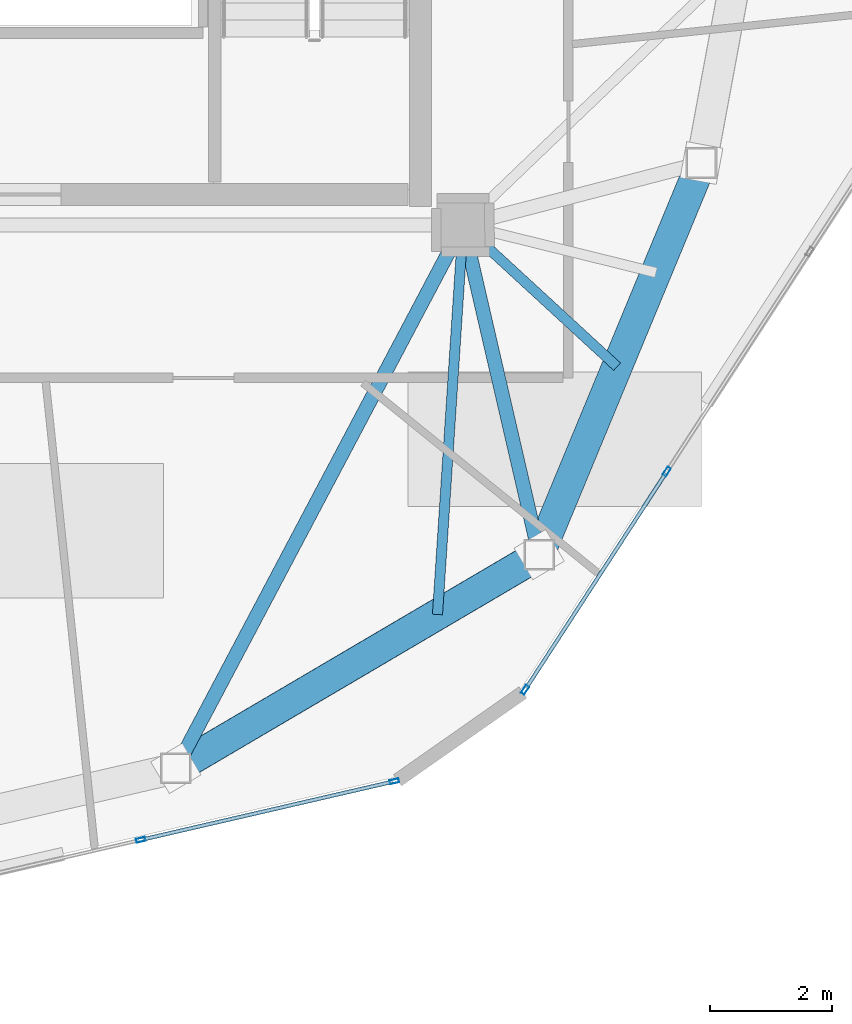
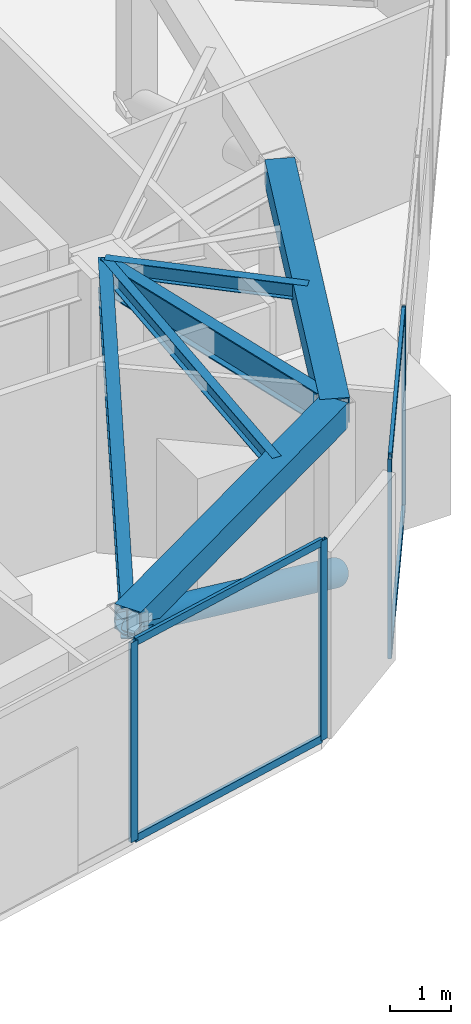
# One storey, part 7 of 21: 9 members, 6 beams, 2 elements without a shape of their own.
"""IFC4 building model written with IfcOpenShell, lengths in metres."""

import ifcopenshell
import ifcopenshell.guid

model = None  # the IFC model being written
_history = None  # IfcOwnerHistory: only IFC2X3 demands one
_inside = {}  # id of a spatial element -> (the spatial element, [elements in it])
_under = {}  # id of a project, library or spatial element -> (it, [spatial elements below it])
_declared = {}  # id of a project -> (the project, [libraries it declares])
_typed = {}  # id of a type object -> (the type object, [elements of that type])
_made_of = {}  # id of a material, layer set ... -> (it, [elements and type objects made of it])


def new_model(schema):
    """Start an empty IFC model of exactly this schema.

    Asked for "IFC4X3", IfcOpenShell would pick the latest addendum, in which some entities
    have other attributes; the version numbers below select the first issue.
    IFC2X3 requires an IfcOwnerHistory on every rooted entity: one is made here for all.
    """
    global model, _history
    if schema == "IFC4X3":
        model = ifcopenshell.file(schema_version=(4, 3, 0, 0))
    else:
        model = ifcopenshell.file(schema=schema)
    _inside.clear()
    _under.clear()
    _declared.clear()
    _typed.clear()
    _made_of.clear()
    _history = None
    if model.schema == "IFC2X3":
        org = make("IfcOrganization", Name="unknown")
        user = make(
            "IfcPersonAndOrganization",
            ThePerson=make("IfcPerson", FamilyName="unknown"),
            TheOrganization=org,
        )
        app = make(
            "IfcApplication",
            ApplicationDeveloper=org,
            Version="unknown",
            ApplicationFullName="unknown",
            ApplicationIdentifier="unknown",
        )
        _history = make(
            "IfcOwnerHistory",
            OwningUser=user,
            OwningApplication=app,
            ChangeAction="ADDED",
            CreationDate=0,
        )
    return model


def make(cls, **values):
    """One entity of the class cls with the attributes given. An attribute that is None is left unset."""
    return model.create_entity(
        cls, **{name: value for name, value in values.items() if value is not None}
    )


def rooted(cls, **values):
    """An entity with a GlobalId (a new one), such as an element, a storey or a relation."""
    return make(cls, GlobalId=ifcopenshell.guid.new(), OwnerHistory=_history, **values)


def si_unit(unit_type, name, prefix=None):
    """IfcSIUnit, for example si_unit("LENGTHUNIT", "METRE", prefix="MILLI")."""
    return make("IfcSIUnit", UnitType=unit_type, Prefix=prefix, Name=name)


def assignment(units):
    """IfcUnitAssignment: the units of a project."""
    return None if units is None else make("IfcUnitAssignment", Units=units)


def point(xyz):
    """IfcCartesianPoint."""
    return None if xyz is None else make("IfcCartesianPoint", Coordinates=xyz)


def direction(xyz):
    """IfcDirection."""
    return None if xyz is None else make("IfcDirection", DirectionRatios=xyz)


def frame(location, z_axis=None, x_axis=None):
    """IfcAxis2Placement3D, a coordinate frame: its origin and axes. An axis left out is left unset."""
    return make(
        "IfcAxis2Placement3D",
        Location=point(location),
        Axis=direction(z_axis),
        RefDirection=direction(x_axis),
    )


def frame_2d(location, x_axis=None):
    """IfcAxis2Placement2D, a coordinate frame in the plane: its origin and x axis."""
    return make(
        "IfcAxis2Placement2D", Location=point(location), RefDirection=direction(x_axis)
    )


def origin():
    """The frame at (0, 0, 0) with its axes left unset."""
    return frame((0.0, 0.0, 0.0))


def origin_2d():
    """The frame at (0, 0) in the plane with its x axis left unset."""
    return frame_2d((0.0, 0.0))


def place(relative_to, where):
    """IfcLocalPlacement: puts the frame where relative to a parent placement (None: the world)."""
    return make(
        "IfcLocalPlacement", PlacementRelTo=relative_to, RelativePlacement=where
    )


def context(
    kind, dimensions, precision=None, world=None, true_north=None, identifier=None
):
    """IfcGeometricRepresentationContext, for example the 3D "Model" context."""
    return make(
        "IfcGeometricRepresentationContext",
        ContextIdentifier=identifier,
        ContextType=kind,
        CoordinateSpaceDimension=dimensions,
        Precision=precision,
        WorldCoordinateSystem=world,
        TrueNorth=true_north,
    )


def subcontext(parent, identifier, kind, view, scale=None):
    """IfcGeometricRepresentationSubContext, for example "Body" below "Model"."""
    return make(
        "IfcGeometricRepresentationSubContext",
        ContextIdentifier=identifier,
        ContextType=kind,
        ParentContext=parent,
        TargetScale=scale,
        TargetView=view,
    )


def project(units=None, contexts=None):
    """IfcProject with its units and contexts."""
    return rooted(
        "IfcProject",
        Name="project",
        RepresentationContexts=contexts,
        UnitsInContext=assignment(units),
    )


def spatial(cls, under=None, at=None, **own):
    """A site, building, storey or space (cls), placed at a placement, below another one or the project."""
    s = rooted(cls, ObjectPlacement=at, **own)
    if under is not None:
        _under.setdefault(under.id(), (under, []))[1].append(s)
    return s


def profile(cls, at=None, kind="AREA", **sizes):
    """A parametric profile (cls). Its sizes go by their IFC names, for example OverallWidth=200.0."""
    return make(cls, ProfileType=kind, Position=at, **sizes)


def hollow_rectangle(**sizes):
    """IfcRectangleHollowProfileDef."""
    return profile("IfcRectangleHollowProfileDef", **sizes)


def hollow_circle(**sizes):
    """IfcCircleHollowProfileDef."""
    return profile("IfcCircleHollowProfileDef", **sizes)


def i_section(**sizes):
    """IfcIShapeProfileDef."""
    return profile("IfcIShapeProfileDef", **sizes)


def extrude(swept, where, along, depth):
    """IfcExtrudedAreaSolid: the profile swept, set in the frame where, extruded along a direction by depth."""
    return make(
        "IfcExtrudedAreaSolid",
        SweptArea=swept,
        Position=where,
        ExtrudedDirection=direction(along),
        Depth=depth,
    )


def shape(context_of_items, identifier, shape_type, items):
    """IfcShapeRepresentation: the items that make up one representation, for example the "Body"."""
    return make(
        "IfcShapeRepresentation",
        ContextOfItems=context_of_items,
        RepresentationIdentifier=identifier,
        RepresentationType=shape_type,
        Items=items,
    )


def source(mapping_origin, context_of_items, identifier, shape_type, items):
    """IfcRepresentationMap: a shape defined once, which mapped items show again and again."""
    return make(
        "IfcRepresentationMap",
        MappingOrigin=mapping_origin,
        MappedRepresentation=shape(context_of_items, identifier, shape_type, items),
    )


def transform(
    local_origin,
    x_axis=None,
    y_axis=None,
    z_axis=None,
    scale=None,
    scale2=None,
    scale3=None,
    uniform=True,
):
    """IfcCartesianTransformationOperator3D, or its non-uniform kind. x_axis, y_axis, z_axis: its Axis1, 2, 3."""
    if uniform:
        return make(
            "IfcCartesianTransformationOperator3D",
            Axis1=direction(x_axis),
            Axis2=direction(y_axis),
            LocalOrigin=point(local_origin),
            Scale=scale,
            Axis3=direction(z_axis),
        )
    return make(
        "IfcCartesianTransformationOperator3DnonUniform",
        Axis1=direction(x_axis),
        Axis2=direction(y_axis),
        LocalOrigin=point(local_origin),
        Scale=scale,
        Axis3=direction(z_axis),
        Scale2=scale2,
        Scale3=scale3,
    )


def mapped(mapping_source, mapping_target):
    """IfcMappedItem: shows the shape of a source again, moved by a transform."""
    return make(
        "IfcMappedItem", MappingSource=mapping_source, MappingTarget=mapping_target
    )


def material(Name=None, Category=None):
    """IfcMaterial."""
    return make("IfcMaterial", Name=Name, Category=Category)


def layer(
    of_material, thickness, ventilated=None, Name=None, Category=None, Priority=None
):
    """IfcMaterialLayer: one layer of a wall or slab, of a material (None: an air gap)."""
    return make(
        "IfcMaterialLayer",
        Material=of_material,
        LayerThickness=thickness,
        IsVentilated=ventilated,
        Name=Name,
        Category=Category,
        Priority=Priority,
    )


def layer_set(layers, Name=None):
    """IfcMaterialLayerSet."""
    return make("IfcMaterialLayerSet", MaterialLayers=layers, LayerSetName=Name)


def material_profile(
    of_material, cross_section, Name=None, Category=None, Priority=None
):
    """IfcMaterialProfile: a cross section and its material."""
    return make(
        "IfcMaterialProfile",
        Name=Name,
        Material=of_material,
        Profile=cross_section,
        Priority=Priority,
        Category=Category,
    )


def profile_set(profiles, Name=None, composite=None):
    """IfcMaterialProfileSet."""
    return make(
        "IfcMaterialProfileSet",
        Name=Name,
        MaterialProfiles=profiles,
        CompositeProfile=composite,
    )


def made_of(thing, what):
    """Note that an element or type object is made of a material, layer set ...; save() writes the relation."""
    if what is not None:
        _made_of.setdefault(what.id(), (what, []))[1].append(thing)
    return thing


def type_object(cls, material=None, **own):
    """A type object (cls), such as IfcWallType, which elements share."""
    return made_of(rooted(cls, **own), material)


def type_shapes(of_type, sources):
    """Give a type object the sources (RepresentationMaps) that its elements show as mapped items."""
    of_type.RepresentationMaps = sources


def element(
    cls,
    number,
    at=None,
    inside=None,
    cuts=None,
    type_object=None,
    material=None,
    context=None,
    identifier="Body",
    shape_type=None,
    held_by="IfcProductDefinitionShape",
    body=None,
    shapes=None,
    **own,
):
    """One element of the class cls, such as IfcWall. Its Tag is "e" and its number.

    at: its placement. inside: the storey or other place that contains it. cuts: it is an
    opening in that element (IfcRelVoidsElement). A single representation is given by context,
    identifier, shape_type and body (its items); several are given by shapes. held_by: the class
    of the entity that holds the representations. save() writes the other relations.
    """
    e = rooted(cls, Tag="e%d" % number, ObjectPlacement=at, **own)
    if body is not None:
        shapes = [shape(context, identifier, shape_type, body)]
    if shapes is not None:
        e.Representation = make(held_by, Representations=shapes)
    if inside is not None:
        _inside.setdefault(inside.id(), (inside, []))[1].append(e)
    if cuts is not None:
        rooted(
            "IfcRelVoidsElement", RelatingBuildingElement=cuts, RelatedOpeningElement=e
        )
    if type_object is not None:
        _typed.setdefault(type_object.id(), (type_object, []))[1].append(e)
    return made_of(e, material)


def aggregate(whole, parts):
    """IfcRelAggregates: a whole, such as a stair, and the parts it consists of."""
    return rooted("IfcRelAggregates", RelatingObject=whole, RelatedObjects=parts)


def save(model, path):
    """Write the relations noted so far, then the file.

    IfcRelAggregates (storeys below a building ...), IfcRelContainedInSpatialStructure (elements
    in a storey), IfcRelDefinesByType, IfcRelAssociatesMaterial and IfcRelDeclares: one each for
    every whole, place, type object, material and project.
    """
    for whole, parts in _under.values():
        aggregate(whole, parts)
    for where, things in _inside.values():
        rooted(
            "IfcRelContainedInSpatialStructure",
            RelatedElements=things,
            RelatingStructure=where,
        )
    for kind, things in _typed.values():
        rooted("IfcRelDefinesByType", RelatedObjects=things, RelatingType=kind)
    for what, things in _made_of.values():
        rooted("IfcRelAssociatesMaterial", RelatedObjects=things, RelatingMaterial=what)
    for by, libraries in _declared.values():
        rooted("IfcRelDeclares", RelatingContext=by, RelatedDefinitions=libraries)
    model.write(path)


model = new_model("IFC4")

# Units and contexts
model_context = context("Model", 3, precision=1e-05, world=origin(), true_north=direction((0.0, 1.0)))
body_context = subcontext(model_context, "Body", "Model", "MODEL_VIEW")
ifc_project = project(units=[si_unit("LENGTHUNIT", "METRE"), si_unit("AREAUNIT", "SQUARE_METRE"), si_unit("VOLUMEUNIT", "CUBIC_METRE"), si_unit("PLANEANGLEUNIT", "RADIAN"), si_unit("MASSUNIT", "GRAM", prefix="KILO")], contexts=[model_context])

# Site, building, storey
site_placement = place(None, origin())
site = spatial("IfcSite", under=ifc_project, at=site_placement, CompositionType="ELEMENT")
building_placement = place(site_placement, origin())
building = spatial("IfcBuilding", under=site, at=building_placement, Name="Talar Marvaseh", CompositionType="ELEMENT")
storey_placement = place(building_placement, frame((0.0, 0.0, 304.0)))
storey = spatial("IfcBuildingStorey", under=building, at=storey_placement, Name="L81", CompositionType="ELEMENT", Elevation=304.0)

# Beams
ifc_material_1 = material(Name="Steel S460", Category="steel")
ifc_material_profile_1 = material_profile(ifc_material_1, hollow_rectangle(XDim=0.5, YDim=0.5, WallThickness=0.02490234375, at=origin_2d()), Name="BOX500x500x25")
ifc_profile_set_1 = profile_set([ifc_material_profile_1], Name="Steel S460")
beam_type_1 = type_object("IfcBeamType", Name="Crown Frame Top Ring Beam BOX500x500x25", PredefinedType="BEAM", material=ifc_profile_set_1)
beam_1_placement = place(storey_placement, frame((37.197021484375, 26.513916015625, 3.489990234375), z_axis=(-0.382798740112, -0.923831762048, 0.0), x_axis=(0.923831762048, -0.382798740112, 0.0)))
element("IfcBeam", 1, at=beam_1_placement, inside=storey, type_object=beam_type_1, Name="L81 Crown Frame Top Ring Beam BOX500x500x25", PredefinedType="BEAM", context=body_context, shape_type="SweptSolid", body=[
    extrude(hollow_rectangle(XDim=0.5, YDim=0.5, WallThickness=0.02490234375, at=origin_2d()), origin(), (0.0, 0.0, 1.0), 6.9306640625),
])
beam_2_placement = place(storey_placement, frame((34.5439453125, 20.111083984375, 3.489990234375), z_axis=(-0.861894136287, -0.507088254482, 0.0), x_axis=(0.507088254482, -0.861894136287, 0.0)))
element("IfcBeam", 2, at=beam_2_placement, inside=storey, type_object=beam_type_1, Name="L81 Crown Frame Top Ring Beam BOX500x500x25", PredefinedType="BEAM", context=body_context, shape_type="SweptSolid", body=[
    extrude(hollow_rectangle(XDim=0.5, YDim=0.5, WallThickness=0.02490234375, at=origin_2d()), origin(), (0.0, 0.0, 1.0), 6.890625),
])
ifc_material_2 = material(Name="Steel S355", Category="steel")
ifc_material_profile_2 = material_profile(ifc_material_2, i_section(OverallWidth=0.166015625, OverallDepth=0.31298828125, WebThickness=0.006591796875, FlangeThickness=0.01123046875, at=origin_2d()), Name="W310x45")
ifc_profile_set_2 = profile_set([ifc_material_profile_2], Name="Steel S355")
beam_type_2 = type_object("IfcBeamType", Name="Zone 3 Secondary Floor Joist W310x45", PredefinedType="JOIST", material=ifc_profile_set_2)
beam_3_placement = place(storey_placement, frame((35.8173828125, 23.184326171875, 3.58349609375), z_axis=(-0.735970843201, 0.677013233223, 0.0), x_axis=(-0.677013233223, -0.735970843201, 0.0)))
element("IfcBeam", 3, at=beam_3_placement, inside=storey, type_object=beam_type_2, Name="L81 Zone 3 Secondary Floor Joist W310x45", PredefinedType="JOIST", context=body_context, shape_type="SweptSolid", body=[
    extrude(i_section(OverallWidth=0.166015625, OverallDepth=0.31298828125, WebThickness=0.006591796875, FlangeThickness=0.01123046875, at=origin_2d()), origin(), (0.0, 0.0, 1.0), 3.42041015625),
])
beam_4_placement = place(storey_placement, frame((32.881103515625, 19.1328125, 3.58349609375), z_axis=(0.065655577597, 0.997842344827, 0.0), x_axis=(-0.997842344827, 0.065655577597, 0.0)))
element("IfcBeam", 4, at=beam_4_placement, inside=storey, type_object=beam_type_2, Name="L81 Zone 3 Secondary Floor Joist W310x45", PredefinedType="JOIST", context=body_context, shape_type="SweptSolid", body=[
    extrude(i_section(OverallWidth=0.166015625, OverallDepth=0.31298828125, WebThickness=0.006591796875, FlangeThickness=0.01123046875, at=origin_2d()), origin(), (0.0, 0.0, 1.0), 6.380859375),
])
ifc_material_profile_3 = material_profile(ifc_material_2, i_section(OverallWidth=0.22998046875, OverallDepth=0.616943359375, WebThickness=0.01318359375, FlangeThickness=0.022216796875, at=origin_2d()), Name="W610x140")
ifc_profile_set_3 = profile_set([ifc_material_profile_3], Name="Steel S355")
beam_type_3 = type_object("IfcBeamType", Name="Zone 4 Radial Floor Girder W610x140", PredefinedType="BEAM", material=ifc_profile_set_3)
beam_5_placement = place(storey_placement, frame((34.5439453125, 20.111083984375, 3.431396484375), z_axis=(-0.22491108979, 0.974379290466, 0.0), x_axis=(-0.974379290466, -0.22491108979, 0.0)))
element("IfcBeam", 5, at=beam_5_placement, inside=storey, type_object=beam_type_3, Name="L81 Zone 4 Radial Floor Girder W610x140", PredefinedType="BEAM", context=body_context, shape_type="SweptSolid", body=[
    extrude(i_section(OverallWidth=0.22998046875, OverallDepth=0.616943359375, WebThickness=0.01318359375, FlangeThickness=0.022216796875, at=origin_2d()), origin(), (0.0, 0.0, 1.0), 5.530517578125),
])
beam_6_placement = place(storey_placement, frame((28.60498046875, 16.616943359375, 3.431396484375), z_axis=(0.467286976471, 0.884105695955, 0.0), x_axis=(-0.884105695955, 0.467286976471, 0.0)))
element("IfcBeam", 6, at=beam_6_placement, inside=storey, type_object=beam_type_3, Name="L81 Zone 4 Radial Floor Girder W610x140", PredefinedType="BEAM", context=body_context, shape_type="SweptSolid", body=[
    extrude(i_section(OverallWidth=0.22998046875, OverallDepth=0.616943359375, WebThickness=0.01318359375, FlangeThickness=0.022216796875, at=origin_2d()), origin(), (0.0, 0.0, 1.0), 10.047607421875),
])

# Member
ifc_material_profile_4 = material_profile(ifc_material_1, hollow_circle(Radius=0.25390625, WallThickness=0.02001953125, at=origin_2d()), Name="CHS508x20")
ifc_profile_set_4 = profile_set([ifc_material_profile_4], Name="Steel S460")
member_type_1 = type_object("IfcMemberType", Name="Crown Frame Diagonal Brace CHS508x20", PredefinedType="BRACE", material=ifc_profile_set_4)
shared_shape_1 = source(origin(), body_context, "Body", "SweptSolid", [
    extrude(hollow_circle(Radius=0.25390625, WallThickness=0.02001953125, at=origin_2d()), origin(), (0.0, 0.0, 1.0), 7.6142578125),
])
type_shapes(member_type_1, [shared_shape_1])
member_1_placement = place(storey_placement, frame((34.5439453125, 20.111083984375, 0.25), z_axis=(-0.779973177808, -0.458890739159, 0.425512786429), x_axis=(0.507088254482, -0.861894136287, 0.0)))
element("IfcMember", 7, at=member_1_placement, inside=storey, type_object=member_type_1, Name="L81 Crown Frame Diagonal Brace 9", PredefinedType="BRACE", context=body_context, shape_type="MappedRepresentation", body=[
    mapped(shared_shape_1, transform((0.0, 0.0, 0.0), x_axis=(1.0, 0.0, 0.0), y_axis=(0.0, 1.0, 0.0), z_axis=(0.0, 0.0, 1.0), scale=1.0)),
])

# Curtain wall, members
ifc_material_3 = material(Name="Architectural Aluminium", Category="aluminium")
ifc_layer = layer(ifc_material_3, 0.2099609375)
ifc_layer_set = layer_set([ifc_layer], Name="Architectural Aluminium")
curtain_wall_type = type_object("IfcCurtainWallType", Name="Crown Plant Acoustic Spandrel Curtain Wall", PredefinedType="NOTDEFINED", material=ifc_layer_set)
curtain_wall_1_placement = place(storey_placement, origin())
curtain_wall_1 = element("IfcCurtainWall", 8, at=curtain_wall_1_placement, inside=storey, type_object=curtain_wall_type, Name="L81 Crown Plant Acoustic Spandrel Curtain Wall", PredefinedType="NOTDEFINED")
ifc_material_profile_5 = material_profile(ifc_material_3, hollow_rectangle(XDim=0.06494140625, YDim=0.14990234375, WallThickness=0.00390625, at=origin_2d()), Name="RHS150x65x4")
ifc_profile_set_5 = profile_set([ifc_material_profile_5], Name="Architectural Aluminium")
member_type_2 = type_object("IfcMemberType", Name="Unitised Curtain Wall Slim Transom RHS150x65x4", PredefinedType="USERDEFINED", material=ifc_profile_set_5)
shared_shape_2 = source(origin(), body_context, "Body", "SweptSolid", [
    extrude(hollow_rectangle(XDim=0.06494140625, YDim=0.14990234375, WallThickness=0.00390625, at=origin_2d()), origin(), (0.0, 0.0, 1.0), 4.188720703125),
])
type_shapes(member_type_2, [shared_shape_2])
member_2_placement = place(storey_placement, frame((36.612060546875, 21.44140625, 0.032470703125), z_axis=(-0.544734287776, -0.838608702388, 0.0), x_axis=(0.838608702388, -0.544734287776, 0.0)))
member_2 = element("IfcMember", 9, at=member_2_placement, type_object=member_type_2, Name="CW-CRN transom 4.1", ObjectType="TRANSOM", PredefinedType="USERDEFINED", context=body_context, shape_type="MappedRepresentation", body=[
    mapped(shared_shape_2, transform((0.0, 0.0, 0.0), x_axis=(1.0, 0.0, 0.0), y_axis=(0.0, 1.0, 0.0), z_axis=(0.0, 0.0, 1.0), scale=1.0)),
])
member_3_placement = place(storey_placement, frame((36.612060546875, 21.44140625, 3.967529296875), z_axis=(-0.544734287776, -0.838608702388, 0.0), x_axis=(0.838608702388, -0.544734287776, 0.0)))
member_3 = element("IfcMember", 10, at=member_3_placement, type_object=member_type_2, Name="CW-CRN transom 4.2", ObjectType="TRANSOM", PredefinedType="USERDEFINED", context=body_context, shape_type="MappedRepresentation", body=[
    mapped(shared_shape_2, transform((0.0, 0.0, 0.0), x_axis=(1.0, 0.0, 0.0), y_axis=(0.0, 1.0, 0.0), z_axis=(0.0, 0.0, 1.0), scale=1.0)),
])

curtain_wall_2_placement = place(storey_placement, origin())
curtain_wall_2 = element("IfcCurtainWall", 11, at=curtain_wall_2_placement, inside=storey, type_object=curtain_wall_type, Name="L81 Crown Plant Acoustic Spandrel Curtain Wall", PredefinedType="NOTDEFINED")
member_4_placement = place(storey_placement, frame((32.144775390625, 16.398681640625, 0.032470703125), z_axis=(-0.974321401186, -0.225161735629, 0.0), x_axis=(0.225161735629, -0.974321401186, 0.0)))
member_4 = element("IfcMember", 12, at=member_4_placement, type_object=member_type_2, Name="CW-CRN transom 1.1", ObjectType="TRANSOM", PredefinedType="USERDEFINED", context=body_context, shape_type="MappedRepresentation", body=[
    mapped(shared_shape_2, transform((0.0, 0.0, 0.0), x_axis=(1.0, 0.0, 0.0), y_axis=(0.0, 1.0, 0.0), z_axis=(0.0, 0.0, 1.0), scale=1.0)),
])
member_5_placement = place(storey_placement, frame((32.144775390625, 16.398681640625, 3.967529296875), z_axis=(-0.974321401186, -0.225161735629, 0.0), x_axis=(0.225161735629, -0.974321401186, 0.0)))
member_5 = element("IfcMember", 13, at=member_5_placement, type_object=member_type_2, Name="CW-CRN transom 1.2", ObjectType="TRANSOM", PredefinedType="USERDEFINED", context=body_context, shape_type="MappedRepresentation", body=[
    mapped(shared_shape_2, transform((0.0, 0.0, 0.0), x_axis=(1.0, 0.0, 0.0), y_axis=(0.0, 1.0, 0.0), z_axis=(0.0, 0.0, 1.0), scale=1.0)),
])

# Member
ifc_material_profile_6 = material_profile(ifc_material_3, hollow_rectangle(XDim=0.06494140625, YDim=0.14990234375, WallThickness=0.00390625, at=origin_2d()), Name="RHS150x65x4")
ifc_profile_set_6 = profile_set([ifc_material_profile_6], Name="Architectural Aluminium")
member_type_3 = type_object("IfcMemberType", Name="Unitised Curtain Wall Slim Mullion RHS150x65x4", PredefinedType="MULLION", material=ifc_profile_set_6)
shared_shape_3 = source(origin(), body_context, "Body", "SweptSolid", [
    extrude(hollow_rectangle(XDim=0.06494140625, YDim=0.14990234375, WallThickness=0.00390625, at=origin_2d()), origin(), (0.0, 0.0, 1.0), 4.0),
])
type_shapes(member_type_3, [shared_shape_3])
member_6_placement = place(storey_placement, frame((36.6298828125, 21.46875, 0.0), z_axis=(0.0, 0.0, 1.0), x_axis=(0.838585906919, -0.544769379387, 0.0)))
member_6 = element("IfcMember", 14, at=member_6_placement, type_object=member_type_3, Name="CW-CRN mullion 4", PredefinedType="MULLION", context=body_context, shape_type="MappedRepresentation", body=[
    mapped(shared_shape_3, transform((0.0, 0.0, 0.0), x_axis=(1.0, 0.0, 0.0), y_axis=(0.0, 1.0, 0.0), z_axis=(0.0, 0.0, 1.0), scale=1.0)),
])

member_7_placement = place(storey_placement, frame((34.3125, 17.901611328125, 0.0), z_axis=(0.0, 0.0, 1.0), x_axis=(0.838585906919, -0.544769379387, 0.0)))
member_7 = element("IfcMember", 15, at=member_7_placement, type_object=member_type_3, Name="CW-CRN mullion 5", PredefinedType="MULLION", context=body_context, shape_type="MappedRepresentation", body=[
    mapped(shared_shape_3, transform((0.0, 0.0, 0.0), x_axis=(1.0, 0.0, 0.0), y_axis=(0.0, 1.0, 0.0), z_axis=(0.0, 0.0, 1.0), scale=1.0)),
])

aggregate(curtain_wall_1, [member_6, member_7, member_2, member_3])

member_8_placement = place(storey_placement, frame((32.176513671875, 16.406005859375, 0.0), z_axis=(0.0, 0.0, 1.0), x_axis=(0.225103157943, -0.974334936397, 0.0)))
member_8 = element("IfcMember", 16, at=member_8_placement, type_object=member_type_3, Name="CW-CRN mullion 1", PredefinedType="MULLION", context=body_context, shape_type="MappedRepresentation", body=[
    mapped(shared_shape_3, transform((0.0, 0.0, 0.0), x_axis=(1.0, 0.0, 0.0), y_axis=(0.0, 1.0, 0.0), z_axis=(0.0, 0.0, 1.0), scale=1.0)),
])

member_9_placement = place(storey_placement, frame((28.031982421875, 15.4482421875, 0.0), z_axis=(0.0, 0.0, 1.0), x_axis=(0.225103157943, -0.974334936397, 0.0)))
member_9 = element("IfcMember", 17, at=member_9_placement, type_object=member_type_3, Name="CW-CRN mullion 2", PredefinedType="MULLION", context=body_context, shape_type="MappedRepresentation", body=[
    mapped(shared_shape_3, transform((0.0, 0.0, 0.0), x_axis=(1.0, 0.0, 0.0), y_axis=(0.0, 1.0, 0.0), z_axis=(0.0, 0.0, 1.0), scale=1.0)),
])

aggregate(curtain_wall_2, [member_8, member_9, member_4, member_5])

save(model, "model.ifc")
